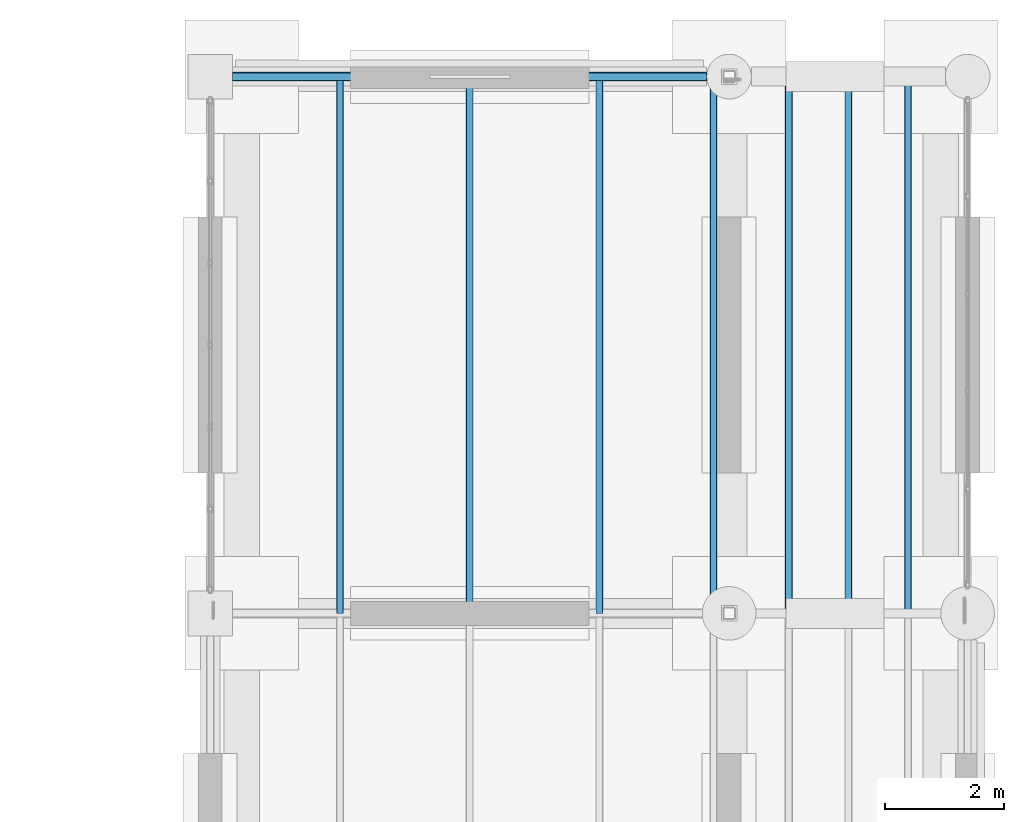
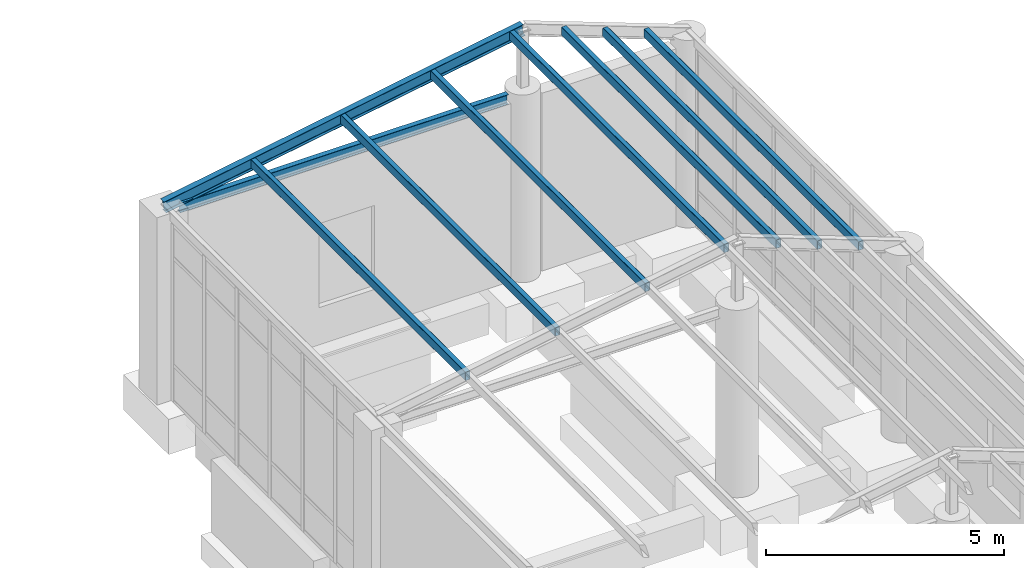
# One storey, part 71 of 111: 8 members, 1 beam.
"""IFC4 building model written with IfcOpenShell, lengths in metres."""

from ifc_helpers import new_model, si_unit, direction, frame, origin, origin_2d, place, context, subcontext, project, spatial, hollow_rectangle, i_section, extrude, material, material_profile, profile_set, type_object, element, save


model = new_model("IFC4")

# Units and contexts
model_context = context("Model", 3, precision=1e-05, world=origin(), true_north=direction((0.0, 1.0)))
body_context = subcontext(model_context, "Body", "Model", "MODEL_VIEW")
ifc_project = project(units=[si_unit("LENGTHUNIT", "METRE"), si_unit("AREAUNIT", "SQUARE_METRE"), si_unit("VOLUMEUNIT", "CUBIC_METRE"), si_unit("PLANEANGLEUNIT", "RADIAN"), si_unit("MASSUNIT", "GRAM", prefix="KILO")], contexts=[model_context])

# Site, building, storey
site_placement = place(None, origin())
site = spatial("IfcSite", under=ifc_project, at=site_placement, CompositionType="ELEMENT")
building_placement = place(site_placement, origin())
building = spatial("IfcBuilding", under=site, at=building_placement, Name="Canglan Escarpment Cableway Terminal", CompositionType="ELEMENT")
storey_placement = place(building_placement, frame((0.0, 0.0, 4.800048828125)))
storey = spatial("IfcBuildingStorey", under=building, at=storey_placement, Name="L01", CompositionType="ELEMENT", Elevation=4.800048828125)

# Beam
ifc_material = material(Name="Steel Q355B", Category="steel")
ifc_material_profile_1 = material_profile(ifc_material, i_section(OverallWidth=0.125, OverallDepth=0.25, WebThickness=0.006103515625, FlangeThickness=0.009033203125, FilletRadius=0.011962890625, at=origin_2d()), Name="HN 250x125x6x9")
ifc_profile_set_1 = profile_set([ifc_material_profile_1], Name="Steel Q355B")
beam_type = type_object("IfcBeamType", Name="BM-CANOPY-HN250", PredefinedType="BEAM", material=ifc_profile_set_1)
beam_placement = place(storey_placement, frame((167.675048828125, 124.0, 4.599853515625), z_axis=(1.0, 0.0, 0.0), x_axis=(0.0, 1.0, 0.0)))
element("IfcBeam", 1, at=beam_placement, inside=storey, type_object=beam_type, Name="Colonnade tie beam RF-B3", PredefinedType="BEAM", context=body_context, shape_type="SweptSolid", body=[
    extrude(i_section(OverallWidth=0.125, OverallDepth=0.25, WebThickness=0.006103515625, FlangeThickness=0.009033203125, FilletRadius=0.011962890625, at=origin_2d()), origin(), (0.0, 0.0, 1.0), 7.949951171875),
])

# Members
ifc_material_profile_2 = material_profile(ifc_material, i_section(OverallWidth=0.14990234375, OverallDepth=0.300048828125, WebThickness=0.006591796875, FlangeThickness=0.009033203125, FilletRadius=0.012939453125, at=origin_2d()), Name="HN 300x150x6.5x9")
ifc_profile_set_2 = profile_set([ifc_material_profile_2], Name="Steel Q355B")
member_type_1 = type_object("IfcMemberType", Name="MB-COL-RAFT-HN300", PredefinedType="RAFTER", material=ifc_profile_set_2)
member_placement = place(storey_placement, frame((167.300048828125, 124.0, 4.75), z_axis=(0.985459956077, 0.0, 0.169907842574), x_axis=(0.0, 1.0, 0.0)))
element("IfcMember", 2, at=member_placement, inside=storey, type_object=member_type_1, Name="Colonnade pitched rafter RF-R01", PredefinedType="RAFTER", context=body_context, shape_type="SweptSolid", body=[
    extrude(i_section(OverallWidth=0.14990234375, OverallDepth=0.300048828125, WebThickness=0.006591796875, FlangeThickness=0.009033203125, FilletRadius=0.012939453125, at=origin_2d()), origin(), (0.0, 0.0, 1.0), 8.828369140625),
])
ifc_material_profile_3 = material_profile(ifc_material, hollow_rectangle(XDim=0.1201171875, YDim=0.219970703125, WallThickness=0.006103515625, InnerFilletRadius=0.006103515625, OuterFilletRadius=0.011962890625, at=origin_2d()), Name="RHS 220x120x6")
ifc_profile_set_3 = profile_set([ifc_material_profile_3], Name="Steel Q355B")
member_type_2 = type_object("IfcMemberType", Name="MB-PAV-PUR-RHS220", PredefinedType="PURLIN", material=ifc_profile_set_3)
for number, where, z_axis, x_axis, name in (
    (3, (169.47509765625, 115.0, 5.094970703125), (0.0, 1.0, 0.0), (-1.0, 0.0, 0.0), "Colonnade canopy purlin PR-03"),
    (4, (171.64990234375, 115.0, 5.469970703125), (0.0, 1.0, 0.0), (-1.0, 0.0, 0.0), "Colonnade canopy purlin PR-03"),
    (5, (173.824951171875, 115.0, 5.844970703125), (0.0, 1.0, 0.0), (-1.0, 0.0, 0.0), "Colonnade canopy purlin PR-03"),
    (6, (175.739013671875, 115.0, 6.175048828125), (0.0, 1.0, 0.0), (-1.0, 0.0, 0.0), "Colonnade canopy purlin PR-03"),
    (7, (177.0, 115.0, 5.844970703125), (0.0, 1.0, 0.0), (-1.0, 0.0, 0.0), "Colonnade canopy purlin PR-03"),
    (8, (178.0, 115.0, 5.469970703125), (0.0, 1.0, 0.0), (-1.0, 0.0, 0.0), "Colonnade canopy purlin PR-03"),
    (9, (179.0, 115.0, 5.094970703125), (0.0, 1.0, 0.0), (-1.0, 0.0, 0.0), "Colonnade canopy purlin PR-03"),
):
    element("IfcMember", number, at=place(storey_placement, frame(where, z_axis=z_axis, x_axis=x_axis)), inside=storey, type_object=member_type_2, Name=name, PredefinedType="PURLIN", context=body_context, shape_type="SweptSolid", body=[
        extrude(hollow_rectangle(XDim=0.1201171875, YDim=0.219970703125, WallThickness=0.006103515625, InnerFilletRadius=0.006103515625, OuterFilletRadius=0.011962890625, at=origin_2d()), origin(), (0.0, 0.0, 1.0), 9.0),
    ])

save(model, "model.ifc")
